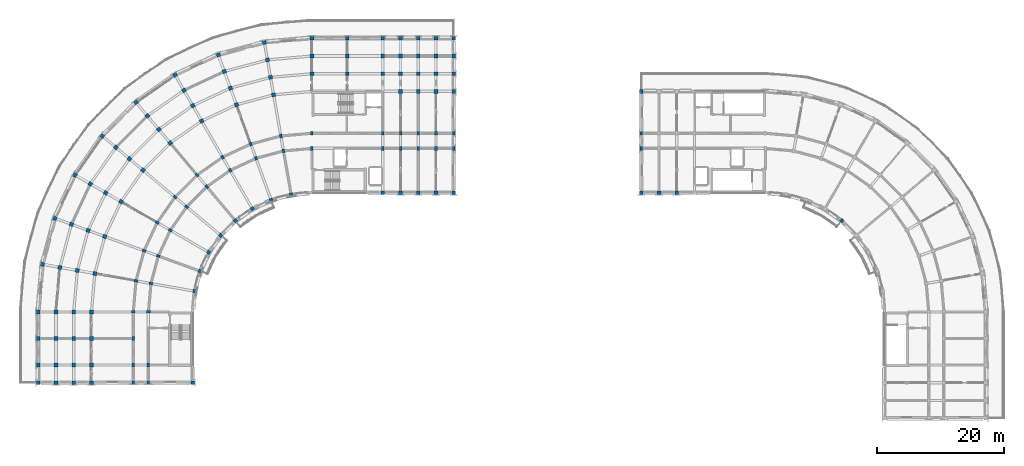
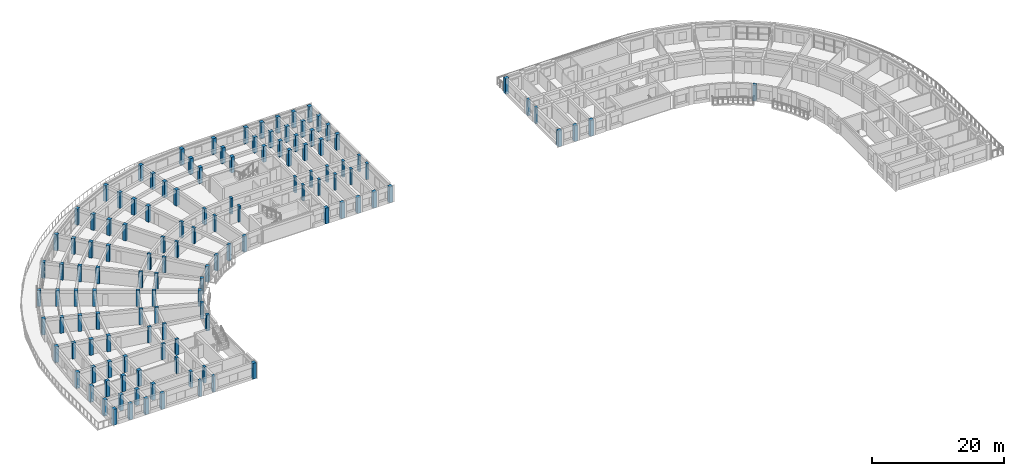
# One storey, part 1 of 32: 129 columns.
"""IFC4 building model written with IfcOpenShell, lengths in metres."""

from ifc_helpers import new_model, si_unit, direction, frame, origin, origin_2d, place, context, subcontext, project, spatial, rectangle, extrude, material, material_profile, profile_set, type_object, element, save


model = new_model("IFC4")

# Units and contexts
model_context = context("Model", 3, precision=1e-05, world=origin(), true_north=direction((0.0, 1.0)))
body_context = subcontext(model_context, "Body", "Model", "MODEL_VIEW")
ifc_project = project(units=[si_unit("LENGTHUNIT", "METRE"), si_unit("AREAUNIT", "SQUARE_METRE"), si_unit("VOLUMEUNIT", "CUBIC_METRE"), si_unit("PLANEANGLEUNIT", "RADIAN"), si_unit("MASSUNIT", "GRAM", prefix="KILO")], contexts=[model_context])

# Site, building, storey
site_placement = place(None, origin())
site = spatial("IfcSite", under=ifc_project, at=site_placement, CompositionType="ELEMENT")
building_placement = place(site_placement, origin())
building = spatial("IfcBuilding", under=site, at=building_placement, Name="Kiranvali Square Residences", CompositionType="ELEMENT")
storey_placement = place(building_placement, frame((0.0, 0.0, 40.199951171875)))
storey = spatial("IfcBuildingStorey", under=building, at=storey_placement, Name="L12", CompositionType="ELEMENT", Elevation=40.199951171875)

# Columns
ifc_material = material(Name="Concrete M40 (40 MPa)", Category="concrete")
ifc_material_profile_1 = material_profile(ifc_material, rectangle(XDim=0.550048828125, YDim=0.550048828125, at=origin_2d()), Name="RC 550x550")
ifc_profile_set_1 = profile_set([ifc_material_profile_1], Name="Concrete M40 (40 MPa)")
column_type_1 = type_object("IfcColumnType", Name="COL-M40-550", PredefinedType="COLUMN", material=ifc_profile_set_1)
for number, where, z_axis, x_axis, name in (
    (1, (44.935302734375, 106.314453125, 0.0), (0.0, 0.0, 1.0), (0.984807753012, 0.173648177667, 0.0), "Block A L12 radial column A01-R0"),
    (2, (41.77001953125, 105.46630859375, 0.0), (0.0, 0.0, 1.0), (0.939692620786, 0.342020143326, 0.0), "Block A L12 radial column A02-R0"),
    (3, (38.800048828125, 104.081298828125, 0.0), (0.0, 0.0, 1.0), (0.866025403784, 0.5, 0.0), "Block A L12 radial column A03-R0"),
    (4, (36.115478515625, 102.20166015625, 0.0), (0.0, 0.0, 1.0), (0.766044443119, 0.642787609687, 0.0), "Block A L12 radial column A04-R0"),
    (5, (33.79833984375, 99.884521484375, 0.0), (0.0, 0.0, 1.0), (0.642787609687, 0.766044443119, 0.0), "Block A L12 radial column A05-R0"),
    (6, (31.918701171875, 97.199951171875, 0.0), (0.0, 0.0, 1.0), (0.5, 0.866025403784, 0.0), "Block A L12 radial column A06-R0"),
    (7, (30.53369140625, 94.22998046875, 0.0), (0.0, 0.0, 1.0), (0.342020143326, 0.939692620786, 0.0), "Block A L12 radial column A07-R0"),
    (8, (29.685546875, 91.064697265625, 0.0), (0.0, 0.0, 1.0), (0.173648177667, 0.984807753012, 0.0), "Block A L12 radial column A08-R0"),
):
    element("IfcColumn", number, at=place(storey_placement, frame(where, z_axis=z_axis, x_axis=x_axis)), inside=storey, type_object=column_type_1, Name=name, PredefinedType="COLUMN", context=body_context, shape_type="SweptSolid", body=[
        extrude(rectangle(XDim=0.550048828125, YDim=0.550048828125, at=origin_2d()), origin(), (0.0, 0.0, 1.0), 2.929931640625),
    ])
column_1_placement = place(storey_placement, frame((131.884521484375, 102.20166015625, 0.0), z_axis=(0.0, 0.0, 1.0), x_axis=(-0.766044443119, 0.642787609687, 0.0)))
element("IfcColumn", 9, at=column_1_placement, inside=storey, type_object=column_type_1, Name="Block B L12 radial column A04-R0", PredefinedType="COLUMN", context=body_context, shape_type="SweptSolid", body=[
    extrude(rectangle(XDim=0.550048828125, YDim=0.550048828125, at=origin_2d()), origin(), (0.0, 0.0, 1.0), 2.91015625),
])
ifc_material_profile_2 = material_profile(ifc_material, rectangle(XDim=0.60009765625, YDim=0.60009765625, at=origin_2d()), Name="RC 600x600")
ifc_profile_set_2 = profile_set([ifc_material_profile_2], Name="Concrete M40 (40 MPa)")
column_type_2 = type_object("IfcColumnType", Name="COL-M40-600", PredefinedType="COLUMN", material=ifc_profile_set_2)
for number, where, z_axis, x_axis, name in (
    (10, (48.199951171875, 125.39990234375, 0.0), (0.0, 0.0, 1.0), (1.0, 0.0, 0.0), "Block A L12 radial column A00-R4"),
    (11, (48.199951171875, 128.199951171875, 0.0), (0.0, 0.0, 1.0), (1.0, 0.0, 0.0), "Block A L12 radial column A00-R5"),
):
    element("IfcColumn", number, at=place(storey_placement, frame(where, z_axis=z_axis, x_axis=x_axis)), inside=storey, type_object=column_type_2, Name=name, PredefinedType="COLUMN", context=body_context, shape_type="SweptSolid", body=[
        extrude(rectangle(XDim=0.60009765625, YDim=0.60009765625, at=origin_2d()), origin(), (0.0, 0.0, 1.0), 2.929931640625),
    ])
column_2_placement = place(storey_placement, frame((48.199951171875, 131.0, 0.0), z_axis=(0.0, 0.0, 1.0), x_axis=(1.0, 0.0, 0.0)))
element("IfcColumn", 12, at=column_2_placement, inside=storey, type_object=column_type_2, Name="Block A L12 radial column A00-R6", PredefinedType="COLUMN", context=body_context, shape_type="SweptSolid", body=[
    extrude(rectangle(XDim=0.60009765625, YDim=0.60009765625, at=origin_2d()), origin(), (0.0, 0.0, 1.0), 2.969970703125),
])
for number, where, z_axis, x_axis, name in (
    (13, (42.156982421875, 122.0712890625, 0.0), (0.0, 0.0, 1.0), (0.984807753012, 0.173648177667, 0.0), "Block A L12 radial column A01-R3"),
    (14, (41.6708984375, 124.828857421875, 0.0), (0.0, 0.0, 1.0), (0.984807753012, 0.173648177667, 0.0), "Block A L12 radial column A01-R4"),
    (15, (41.1845703125, 127.586181640625, 0.0), (0.0, 0.0, 1.0), (0.984807753012, 0.173648177667, 0.0), "Block A L12 radial column A01-R5"),
):
    element("IfcColumn", number, at=place(storey_placement, frame(where, z_axis=z_axis, x_axis=x_axis)), inside=storey, type_object=column_type_2, Name=name, PredefinedType="COLUMN", context=body_context, shape_type="SweptSolid", body=[
        extrude(rectangle(XDim=0.60009765625, YDim=0.60009765625, at=origin_2d()), origin(), (0.0, 0.0, 1.0), 2.929931640625),
    ])
column_3_placement = place(storey_placement, frame((40.698486328125, 130.34375, 0.0), z_axis=(0.0, 0.0, 1.0), x_axis=(0.984807753012, 0.173648177667, 0.0)))
element("IfcColumn", 16, at=column_3_placement, inside=storey, type_object=column_type_2, Name="Block A L12 radial column A01-R6", PredefinedType="COLUMN", context=body_context, shape_type="SweptSolid", body=[
    extrude(rectangle(XDim=0.60009765625, YDim=0.60009765625, at=origin_2d()), origin(), (0.0, 0.0, 1.0), 2.969970703125),
])
for number, where, z_axis, x_axis, name in (
    (17, (36.297607421875, 120.501220703125, 0.0), (0.0, 0.0, 1.0), (0.939692620786, 0.342020143326, 0.0), "Block A L12 radial column A02-R3"),
    (18, (35.340087890625, 123.13232421875, 0.0), (0.0, 0.0, 1.0), (0.939692620786, 0.342020143326, 0.0), "Block A L12 radial column A02-R4"),
    (19, (34.38232421875, 125.763671875, 0.0), (0.0, 0.0, 1.0), (0.939692620786, 0.342020143326, 0.0), "Block A L12 radial column A02-R5"),
):
    element("IfcColumn", number, at=place(storey_placement, frame(where, z_axis=z_axis, x_axis=x_axis)), inside=storey, type_object=column_type_2, Name=name, PredefinedType="COLUMN", context=body_context, shape_type="SweptSolid", body=[
        extrude(rectangle(XDim=0.60009765625, YDim=0.60009765625, at=origin_2d()), origin(), (0.0, 0.0, 1.0), 2.929931640625),
    ])
column_4_placement = place(storey_placement, frame((33.4248046875, 128.394775390625, 0.0), z_axis=(0.0, 0.0, 1.0), x_axis=(0.939692620786, 0.342020143326, 0.0)))
element("IfcColumn", 20, at=column_4_placement, inside=storey, type_object=column_type_2, Name="Block A L12 radial column A02-R6", PredefinedType="COLUMN", context=body_context, shape_type="SweptSolid", body=[
    extrude(rectangle(XDim=0.60009765625, YDim=0.60009765625, at=origin_2d()), origin(), (0.0, 0.0, 1.0), 2.969970703125),
])
for number, where, z_axis, x_axis, name in (
    (21, (30.800048828125, 117.937744140625, 0.0), (0.0, 0.0, 1.0), (0.866025403784, 0.5, 0.0), "Block A L12 radial column A03-R3"),
    (22, (29.39990234375, 120.362548828125, 0.0), (0.0, 0.0, 1.0), (0.866025403784, 0.5, 0.0), "Block A L12 radial column A03-R4"),
    (23, (28.0, 122.787353515625, 0.0), (0.0, 0.0, 1.0), (0.866025403784, 0.5, 0.0), "Block A L12 radial column A03-R5"),
):
    element("IfcColumn", number, at=place(storey_placement, frame(where, z_axis=z_axis, x_axis=x_axis)), inside=storey, type_object=column_type_2, Name=name, PredefinedType="COLUMN", context=body_context, shape_type="SweptSolid", body=[
        extrude(rectangle(XDim=0.60009765625, YDim=0.60009765625, at=origin_2d()), origin(), (0.0, 0.0, 1.0), 2.929931640625),
    ])
column_5_placement = place(storey_placement, frame((26.60009765625, 125.21240234375, 0.0), z_axis=(0.0, 0.0, 1.0), x_axis=(0.866025403784, 0.5, 0.0)))
element("IfcColumn", 24, at=column_5_placement, inside=storey, type_object=column_type_2, Name="Block A L12 radial column A03-R6", PredefinedType="COLUMN", context=body_context, shape_type="SweptSolid", body=[
    extrude(rectangle(XDim=0.60009765625, YDim=0.60009765625, at=origin_2d()), origin(), (0.0, 0.0, 1.0), 2.969970703125),
])
for number, where, z_axis, x_axis, name in (
    (25, (25.8310546875, 114.458251953125, 0.0), (0.0, 0.0, 1.0), (0.766044443119, 0.642787609687, 0.0), "Block A L12 radial column A04-R3"),
    (26, (24.03125, 116.603271484375, 0.0), (0.0, 0.0, 1.0), (0.766044443119, 0.642787609687, 0.0), "Block A L12 radial column A04-R4"),
    (27, (22.2314453125, 118.748291015625, 0.0), (0.0, 0.0, 1.0), (0.766044443119, 0.642787609687, 0.0), "Block A L12 radial column A04-R5"),
):
    element("IfcColumn", number, at=place(storey_placement, frame(where, z_axis=z_axis, x_axis=x_axis)), inside=storey, type_object=column_type_2, Name=name, PredefinedType="COLUMN", context=body_context, shape_type="SweptSolid", body=[
        extrude(rectangle(XDim=0.60009765625, YDim=0.60009765625, at=origin_2d()), origin(), (0.0, 0.0, 1.0), 2.929931640625),
    ])
column_6_placement = place(storey_placement, frame((20.431640625, 120.89306640625, 0.0), z_axis=(0.0, 0.0, 1.0), x_axis=(0.766044443119, 0.642787609687, 0.0)))
element("IfcColumn", 28, at=column_6_placement, inside=storey, type_object=column_type_2, Name="Block A L12 radial column A04-R6", PredefinedType="COLUMN", context=body_context, shape_type="SweptSolid", body=[
    extrude(rectangle(XDim=0.60009765625, YDim=0.60009765625, at=origin_2d()), origin(), (0.0, 0.0, 1.0), 2.969970703125),
])
for number, where, z_axis, x_axis, name in (
    (29, (21.541748046875, 110.1689453125, 0.0), (0.0, 0.0, 1.0), (0.642787609687, 0.766044443119, 0.0), "Block A L12 radial column A05-R3"),
    (30, (19.396728515625, 111.96875, 0.0), (0.0, 0.0, 1.0), (0.642787609687, 0.766044443119, 0.0), "Block A L12 radial column A05-R4"),
    (31, (17.251708984375, 113.7685546875, 0.0), (0.0, 0.0, 1.0), (0.642787609687, 0.766044443119, 0.0), "Block A L12 radial column A05-R5"),
):
    element("IfcColumn", number, at=place(storey_placement, frame(where, z_axis=z_axis, x_axis=x_axis)), inside=storey, type_object=column_type_2, Name=name, PredefinedType="COLUMN", context=body_context, shape_type="SweptSolid", body=[
        extrude(rectangle(XDim=0.60009765625, YDim=0.60009765625, at=origin_2d()), origin(), (0.0, 0.0, 1.0), 2.929931640625),
    ])
column_7_placement = place(storey_placement, frame((15.10693359375, 115.568359375, 0.0), z_axis=(0.0, 0.0, 1.0), x_axis=(0.642787609687, 0.766044443119, 0.0)))
element("IfcColumn", 32, at=column_7_placement, inside=storey, type_object=column_type_2, Name="Block A L12 radial column A05-R6", PredefinedType="COLUMN", context=body_context, shape_type="SweptSolid", body=[
    extrude(rectangle(XDim=0.60009765625, YDim=0.60009765625, at=origin_2d()), origin(), (0.0, 0.0, 1.0), 2.969970703125),
])
for number, where, z_axis, x_axis, name in (
    (33, (18.062255859375, 105.199951171875, 0.0), (0.0, 0.0, 1.0), (0.5, 0.866025403784, 0.0), "Block A L12 radial column A06-R3"),
    (34, (15.637451171875, 106.60009765625, 0.0), (0.0, 0.0, 1.0), (0.5, 0.866025403784, 0.0), "Block A L12 radial column A06-R4"),
    (35, (13.212646484375, 108.0, 0.0), (0.0, 0.0, 1.0), (0.5, 0.866025403784, 0.0), "Block A L12 radial column A06-R5"),
):
    element("IfcColumn", number, at=place(storey_placement, frame(where, z_axis=z_axis, x_axis=x_axis)), inside=storey, type_object=column_type_2, Name=name, PredefinedType="COLUMN", context=body_context, shape_type="SweptSolid", body=[
        extrude(rectangle(XDim=0.60009765625, YDim=0.60009765625, at=origin_2d()), origin(), (0.0, 0.0, 1.0), 2.929931640625),
    ])
column_8_placement = place(storey_placement, frame((10.78759765625, 109.39990234375, 0.0), z_axis=(0.0, 0.0, 1.0), x_axis=(0.5, 0.866025403784, 0.0)))
element("IfcColumn", 36, at=column_8_placement, inside=storey, type_object=column_type_2, Name="Block A L12 radial column A06-R6", PredefinedType="COLUMN", context=body_context, shape_type="SweptSolid", body=[
    extrude(rectangle(XDim=0.60009765625, YDim=0.60009765625, at=origin_2d()), origin(), (0.0, 0.0, 1.0), 2.969970703125),
])
for number, where, z_axis, x_axis, name in (
    (37, (15.498779296875, 99.702392578125, 0.0), (0.0, 0.0, 1.0), (0.342020143326, 0.939692620786, 0.0), "Block A L12 radial column A07-R3"),
    (38, (12.86767578125, 100.659912109375, 0.0), (0.0, 0.0, 1.0), (0.342020143326, 0.939692620786, 0.0), "Block A L12 radial column A07-R4"),
    (39, (10.236328125, 101.61767578125, 0.0), (0.0, 0.0, 1.0), (0.342020143326, 0.939692620786, 0.0), "Block A L12 radial column A07-R5"),
):
    element("IfcColumn", number, at=place(storey_placement, frame(where, z_axis=z_axis, x_axis=x_axis)), inside=storey, type_object=column_type_2, Name=name, PredefinedType="COLUMN", context=body_context, shape_type="SweptSolid", body=[
        extrude(rectangle(XDim=0.60009765625, YDim=0.60009765625, at=origin_2d()), origin(), (0.0, 0.0, 1.0), 2.929931640625),
    ])
column_9_placement = place(storey_placement, frame((7.605224609375, 102.5751953125, 0.0), z_axis=(0.0, 0.0, 1.0), x_axis=(0.342020143326, 0.939692620786, 0.0)))
element("IfcColumn", 40, at=column_9_placement, inside=storey, type_object=column_type_2, Name="Block A L12 radial column A07-R6", PredefinedType="COLUMN", context=body_context, shape_type="SweptSolid", body=[
    extrude(rectangle(XDim=0.60009765625, YDim=0.60009765625, at=origin_2d()), origin(), (0.0, 0.0, 1.0), 2.969970703125),
])
for number, where, z_axis, x_axis, name in (
    (41, (13.9287109375, 93.843017578125, 0.0), (0.0, 0.0, 1.0), (0.173648177667, 0.984807753012, 0.0), "Block A L12 radial column A08-R3"),
    (42, (11.171142578125, 94.3291015625, 0.0), (0.0, 0.0, 1.0), (0.173648177667, 0.984807753012, 0.0), "Block A L12 radial column A08-R4"),
    (43, (8.413818359375, 94.8154296875, 0.0), (0.0, 0.0, 1.0), (0.173648177667, 0.984807753012, 0.0), "Block A L12 radial column A08-R5"),
):
    element("IfcColumn", number, at=place(storey_placement, frame(where, z_axis=z_axis, x_axis=x_axis)), inside=storey, type_object=column_type_2, Name=name, PredefinedType="COLUMN", context=body_context, shape_type="SweptSolid", body=[
        extrude(rectangle(XDim=0.60009765625, YDim=0.60009765625, at=origin_2d()), origin(), (0.0, 0.0, 1.0), 2.929931640625),
    ])
column_10_placement = place(storey_placement, frame((5.65625, 95.301513671875, 0.0), z_axis=(0.0, 0.0, 1.0), x_axis=(0.173648177667, 0.984807753012, 0.0)))
element("IfcColumn", 44, at=column_10_placement, inside=storey, type_object=column_type_2, Name="Block A L12 radial column A08-R6", PredefinedType="COLUMN", context=body_context, shape_type="SweptSolid", body=[
    extrude(rectangle(XDim=0.60009765625, YDim=0.60009765625, at=origin_2d()), origin(), (0.0, 0.0, 1.0), 2.969970703125),
])
for number, where, z_axis, x_axis, name in (
    (45, (13.39990234375, 87.800048828125, 0.0), (0.0, 0.0, 1.0), (0.0, 1.0, 0.0), "Block A L12 radial column A09-R3"),
    (46, (10.60009765625, 87.800048828125, 0.0), (0.0, 0.0, 1.0), (0.0, 1.0, 0.0), "Block A L12 radial column A09-R4"),
    (47, (7.800048828125, 87.800048828125, 0.0), (0.0, 0.0, 1.0), (0.0, 1.0, 0.0), "Block A L12 radial column A09-R5"),
):
    element("IfcColumn", number, at=place(storey_placement, frame(where, z_axis=z_axis, x_axis=x_axis)), inside=storey, type_object=column_type_2, Name=name, PredefinedType="COLUMN", context=body_context, shape_type="SweptSolid", body=[
        extrude(rectangle(XDim=0.60009765625, YDim=0.60009765625, at=origin_2d()), origin(), (0.0, 0.0, 1.0), 2.929931640625),
    ])
column_11_placement = place(storey_placement, frame((5.0, 87.800048828125, 0.0), z_axis=(0.0, 0.0, 1.0), x_axis=(0.0, 1.0, 0.0)))
element("IfcColumn", 48, at=column_11_placement, inside=storey, type_object=column_type_2, Name="Block A L12 radial column A09-R6", PredefinedType="COLUMN", context=body_context, shape_type="SweptSolid", body=[
    extrude(rectangle(XDim=0.60009765625, YDim=0.60009765625, at=origin_2d()), origin(), (0.0, 0.0, 1.0), 2.969970703125),
])
for number, where, z_axis, x_axis, name in (
    (49, (53.800048828125, 125.39990234375, 0.0), (0.0, 0.0, 1.0), (1.0, 0.0, 0.0), "Block A L12 core-front column U0-R4"),
    (50, (53.800048828125, 128.199951171875, 0.0), (0.0, 0.0, 1.0), (1.0, 0.0, 0.0), "Block A L12 core-front column U0-R5"),
):
    element("IfcColumn", number, at=place(storey_placement, frame(where, z_axis=z_axis, x_axis=x_axis)), inside=storey, type_object=column_type_2, Name=name, PredefinedType="COLUMN", context=body_context, shape_type="SweptSolid", body=[
        extrude(rectangle(XDim=0.60009765625, YDim=0.60009765625, at=origin_2d()), origin(), (0.0, 0.0, 1.0), 2.929931640625),
    ])
column_12_placement = place(storey_placement, frame((53.800048828125, 131.0, 0.0), z_axis=(0.0, 0.0, 1.0), x_axis=(1.0, 0.0, 0.0)))
element("IfcColumn", 51, at=column_12_placement, inside=storey, type_object=column_type_2, Name="Block A L12 core-front column U0-R6", PredefinedType="COLUMN", context=body_context, shape_type="SweptSolid", body=[
    extrude(rectangle(XDim=0.60009765625, YDim=0.60009765625, at=origin_2d()), origin(), (0.0, 0.0, 1.0), 2.969970703125),
])
for number, where, z_axis, x_axis, name in (
    (52, (59.39990234375, 106.60009765625, 0.0), (0.0, 0.0, 1.0), (1.0, 0.0, 0.0), "Block A L12 Arm 1 column U1-R0"),
    (53, (59.39990234375, 125.39990234375, 0.0), (0.0, 0.0, 1.0), (1.0, 0.0, 0.0), "Block A L12 Arm 1 column U1-R4"),
    (54, (59.39990234375, 128.199951171875, 0.0), (0.0, 0.0, 1.0), (1.0, 0.0, 0.0), "Block A L12 Arm 1 column U1-R5"),
):
    element("IfcColumn", number, at=place(storey_placement, frame(where, z_axis=z_axis, x_axis=x_axis)), inside=storey, type_object=column_type_2, Name=name, PredefinedType="COLUMN", context=body_context, shape_type="SweptSolid", body=[
        extrude(rectangle(XDim=0.60009765625, YDim=0.60009765625, at=origin_2d()), origin(), (0.0, 0.0, 1.0), 2.929931640625),
    ])
column_13_placement = place(storey_placement, frame((59.39990234375, 131.0, 0.0), z_axis=(0.0, 0.0, 1.0), x_axis=(1.0, 0.0, 0.0)))
element("IfcColumn", 55, at=column_13_placement, inside=storey, type_object=column_type_2, Name="Block A L12 Arm 1 column U1-R6", PredefinedType="COLUMN", context=body_context, shape_type="SweptSolid", body=[
    extrude(rectangle(XDim=0.60009765625, YDim=0.60009765625, at=origin_2d()), origin(), (0.0, 0.0, 1.0), 2.969970703125),
])
for number, where, z_axis, x_axis, name in (
    (56, (62.199951171875, 106.60009765625, 0.0), (0.0, 0.0, 1.0), (1.0, 0.0, 0.0), "Block A L12 Arm 1 column U2-R0"),
    (57, (62.199951171875, 122.60009765625, 0.0), (0.0, 0.0, 1.0), (1.0, 0.0, 0.0), "Block A L12 Arm 1 column U2-R3"),
    (58, (62.199951171875, 125.39990234375, 0.0), (0.0, 0.0, 1.0), (1.0, 0.0, 0.0), "Block A L12 Arm 1 column U2-R4"),
    (59, (62.199951171875, 128.199951171875, 0.0), (0.0, 0.0, 1.0), (1.0, 0.0, 0.0), "Block A L12 Arm 1 column U2-R5"),
):
    element("IfcColumn", number, at=place(storey_placement, frame(where, z_axis=z_axis, x_axis=x_axis)), inside=storey, type_object=column_type_2, Name=name, PredefinedType="COLUMN", context=body_context, shape_type="SweptSolid", body=[
        extrude(rectangle(XDim=0.60009765625, YDim=0.60009765625, at=origin_2d()), origin(), (0.0, 0.0, 1.0), 2.929931640625),
    ])
column_14_placement = place(storey_placement, frame((62.199951171875, 131.0, 0.0), z_axis=(0.0, 0.0, 1.0), x_axis=(1.0, 0.0, 0.0)))
element("IfcColumn", 60, at=column_14_placement, inside=storey, type_object=column_type_2, Name="Block A L12 Arm 1 column U2-R6", PredefinedType="COLUMN", context=body_context, shape_type="SweptSolid", body=[
    extrude(rectangle(XDim=0.60009765625, YDim=0.60009765625, at=origin_2d()), origin(), (0.0, 0.0, 1.0), 2.969970703125),
])
for number, where, z_axis, x_axis, name in (
    (61, (65.0, 106.60009765625, 0.0), (0.0, 0.0, 1.0), (1.0, 0.0, 0.0), "Block A L12 Arm 1 column U3-R0"),
    (62, (65.0, 122.60009765625, 0.0), (0.0, 0.0, 1.0), (1.0, 0.0, 0.0), "Block A L12 Arm 1 column U3-R3"),
    (63, (65.0, 125.39990234375, 0.0), (0.0, 0.0, 1.0), (1.0, 0.0, 0.0), "Block A L12 Arm 1 column U3-R4"),
    (64, (65.0, 128.199951171875, 0.0), (0.0, 0.0, 1.0), (1.0, 0.0, 0.0), "Block A L12 Arm 1 column U3-R5"),
):
    element("IfcColumn", number, at=place(storey_placement, frame(where, z_axis=z_axis, x_axis=x_axis)), inside=storey, type_object=column_type_2, Name=name, PredefinedType="COLUMN", context=body_context, shape_type="SweptSolid", body=[
        extrude(rectangle(XDim=0.60009765625, YDim=0.60009765625, at=origin_2d()), origin(), (0.0, 0.0, 1.0), 2.929931640625),
    ])
column_15_placement = place(storey_placement, frame((65.0, 131.0, 0.0), z_axis=(0.0, 0.0, 1.0), x_axis=(1.0, 0.0, 0.0)))
element("IfcColumn", 65, at=column_15_placement, inside=storey, type_object=column_type_2, Name="Block A L12 Arm 1 column U3-R6", PredefinedType="COLUMN", context=body_context, shape_type="SweptSolid", body=[
    extrude(rectangle(XDim=0.60009765625, YDim=0.60009765625, at=origin_2d()), origin(), (0.0, 0.0, 1.0), 2.969970703125),
])
for number, where, z_axis, x_axis, name in (
    (66, (67.800048828125, 106.60009765625, 0.0), (0.0, 0.0, 1.0), (1.0, 0.0, 0.0), "Block A L12 Arm 1 column U4-R0"),
    (67, (67.800048828125, 122.60009765625, 0.0), (0.0, 0.0, 1.0), (1.0, 0.0, 0.0), "Block A L12 Arm 1 column U4-R3"),
    (68, (67.800048828125, 125.39990234375, 0.0), (0.0, 0.0, 1.0), (1.0, 0.0, 0.0), "Block A L12 Arm 1 column U4-R4"),
    (69, (67.800048828125, 128.199951171875, 0.0), (0.0, 0.0, 1.0), (1.0, 0.0, 0.0), "Block A L12 Arm 1 column U4-R5"),
):
    element("IfcColumn", number, at=place(storey_placement, frame(where, z_axis=z_axis, x_axis=x_axis)), inside=storey, type_object=column_type_2, Name=name, PredefinedType="COLUMN", context=body_context, shape_type="SweptSolid", body=[
        extrude(rectangle(XDim=0.60009765625, YDim=0.60009765625, at=origin_2d()), origin(), (0.0, 0.0, 1.0), 2.929931640625),
    ])
column_16_placement = place(storey_placement, frame((67.800048828125, 131.0, 0.0), z_axis=(0.0, 0.0, 1.0), x_axis=(1.0, 0.0, 0.0)))
element("IfcColumn", 70, at=column_16_placement, inside=storey, type_object=column_type_2, Name="Block A L12 Arm 1 column U4-R6", PredefinedType="COLUMN", context=body_context, shape_type="SweptSolid", body=[
    extrude(rectangle(XDim=0.60009765625, YDim=0.60009765625, at=origin_2d()), origin(), (0.0, 0.0, 1.0), 2.969970703125),
])
for number, where, z_axis, x_axis, name in (
    (71, (70.60009765625, 106.60009765625, 0.0), (0.0, 0.0, 1.0), (1.0, 0.0, 0.0), "Block A L12 Arm 1 column U5-R0"),
    (72, (70.60009765625, 122.60009765625, 0.0), (0.0, 0.0, 1.0), (1.0, 0.0, 0.0), "Block A L12 Arm 1 column U5-R3"),
    (73, (70.60009765625, 125.39990234375, 0.0), (0.0, 0.0, 1.0), (1.0, 0.0, 0.0), "Block A L12 Arm 1 column U5-R4"),
    (74, (70.60009765625, 128.199951171875, 0.0), (0.0, 0.0, 1.0), (1.0, 0.0, 0.0), "Block A L12 Arm 1 column U5-R5"),
):
    element("IfcColumn", number, at=place(storey_placement, frame(where, z_axis=z_axis, x_axis=x_axis)), inside=storey, type_object=column_type_2, Name=name, PredefinedType="COLUMN", context=body_context, shape_type="SweptSolid", body=[
        extrude(rectangle(XDim=0.60009765625, YDim=0.60009765625, at=origin_2d()), origin(), (0.0, 0.0, 1.0), 2.929931640625),
    ])
column_17_placement = place(storey_placement, frame((70.60009765625, 131.0, 0.0), z_axis=(0.0, 0.0, 1.0), x_axis=(1.0, 0.0, 0.0)))
element("IfcColumn", 75, at=column_17_placement, inside=storey, type_object=column_type_2, Name="Block A L12 Arm 1 column U5-R6", PredefinedType="COLUMN", context=body_context, shape_type="SweptSolid", body=[
    extrude(rectangle(XDim=0.60009765625, YDim=0.60009765625, at=origin_2d()), origin(), (0.0, 0.0, 1.0), 2.969970703125),
])
for number, where, z_axis, x_axis, name in (
    (76, (13.39990234375, 83.60009765625, 0.0), (0.0, 0.0, 1.0), (1.0, 0.0, 0.0), "Block A L12 Arm 2 mid-core column V0-R3"),
    (77, (10.60009765625, 83.60009765625, 0.0), (0.0, 0.0, 1.0), (1.0, 0.0, 0.0), "Block A L12 Arm 2 mid-core column V0-R4"),
    (78, (7.800048828125, 83.60009765625, 0.0), (0.0, 0.0, 1.0), (1.0, 0.0, 0.0), "Block A L12 Arm 2 mid-core column V0-R5"),
):
    element("IfcColumn", number, at=place(storey_placement, frame(where, z_axis=z_axis, x_axis=x_axis)), inside=storey, type_object=column_type_2, Name=name, PredefinedType="COLUMN", context=body_context, shape_type="SweptSolid", body=[
        extrude(rectangle(XDim=0.60009765625, YDim=0.60009765625, at=origin_2d()), origin(), (0.0, 0.0, 1.0), 2.929931640625),
    ])
column_18_placement = place(storey_placement, frame((5.0, 83.60009765625, 0.0), z_axis=(0.0, 0.0, 1.0), x_axis=(1.0, 0.0, 0.0)))
element("IfcColumn", 79, at=column_18_placement, inside=storey, type_object=column_type_2, Name="Block A L12 Arm 2 mid-core column V0-R6", PredefinedType="COLUMN", context=body_context, shape_type="SweptSolid", body=[
    extrude(rectangle(XDim=0.60009765625, YDim=0.60009765625, at=origin_2d()), origin(), (0.0, 0.0, 1.0), 2.969970703125),
])
for number, where, z_axis, x_axis, name in (
    (80, (13.39990234375, 79.39990234375, 0.0), (0.0, 0.0, 1.0), (1.0, 0.0, 0.0), "Block A L12 Arm 2 column V1-R3"),
    (81, (10.60009765625, 79.39990234375, 0.0), (0.0, 0.0, 1.0), (1.0, 0.0, 0.0), "Block A L12 Arm 2 column V1-R4"),
    (82, (7.800048828125, 79.39990234375, 0.0), (0.0, 0.0, 1.0), (1.0, 0.0, 0.0), "Block A L12 Arm 2 column V1-R5"),
):
    element("IfcColumn", number, at=place(storey_placement, frame(where, z_axis=z_axis, x_axis=x_axis)), inside=storey, type_object=column_type_2, Name=name, PredefinedType="COLUMN", context=body_context, shape_type="SweptSolid", body=[
        extrude(rectangle(XDim=0.60009765625, YDim=0.60009765625, at=origin_2d()), origin(), (0.0, 0.0, 1.0), 2.929931640625),
    ])
column_19_placement = place(storey_placement, frame((5.0, 79.39990234375, 0.0), z_axis=(0.0, 0.0, 1.0), x_axis=(1.0, 0.0, 0.0)))
element("IfcColumn", 83, at=column_19_placement, inside=storey, type_object=column_type_2, Name="Block A L12 Arm 2 column V1-R6", PredefinedType="COLUMN", context=body_context, shape_type="SweptSolid", body=[
    extrude(rectangle(XDim=0.60009765625, YDim=0.60009765625, at=origin_2d()), origin(), (0.0, 0.0, 1.0), 2.969970703125),
])
for number, where, z_axis, x_axis, name in (
    (84, (29.39990234375, 76.60009765625, 0.0), (0.0, 0.0, 1.0), (1.0, 0.0, 0.0), "Block A L12 Arm 2 column V2-R0"),
    (85, (13.39990234375, 76.60009765625, 0.0), (0.0, 0.0, 1.0), (1.0, 0.0, 0.0), "Block A L12 Arm 2 column V2-R3"),
    (86, (10.60009765625, 76.60009765625, 0.0), (0.0, 0.0, 1.0), (1.0, 0.0, 0.0), "Block A L12 Arm 2 column V2-R4"),
    (87, (7.800048828125, 76.60009765625, 0.0), (0.0, 0.0, 1.0), (1.0, 0.0, 0.0), "Block A L12 Arm 2 column V2-R5"),
):
    element("IfcColumn", number, at=place(storey_placement, frame(where, z_axis=z_axis, x_axis=x_axis)), inside=storey, type_object=column_type_2, Name=name, PredefinedType="COLUMN", context=body_context, shape_type="SweptSolid", body=[
        extrude(rectangle(XDim=0.60009765625, YDim=0.60009765625, at=origin_2d()), origin(), (0.0, 0.0, 1.0), 2.929931640625),
    ])
column_20_placement = place(storey_placement, frame((5.0, 76.60009765625, 0.0), z_axis=(0.0, 0.0, 1.0), x_axis=(1.0, 0.0, 0.0)))
element("IfcColumn", 88, at=column_20_placement, inside=storey, type_object=column_type_2, Name="Block A L12 Arm 2 column V2-R6", PredefinedType="COLUMN", context=body_context, shape_type="SweptSolid", body=[
    extrude(rectangle(XDim=0.60009765625, YDim=0.60009765625, at=origin_2d()), origin(), (0.0, 0.0, 1.0), 2.969970703125),
])
for number, where, z_axis, x_axis, name in (
    (89, (105.800048828125, 106.60009765625, 0.0), (0.0, 0.0, 1.0), (1.0, 0.0, 0.0), "Block B L12 Arm 1 column U2-R0"),
    (90, (103.0, 106.60009765625, 0.0), (0.0, 0.0, 1.0), (1.0, 0.0, 0.0), "Block B L12 Arm 1 column U3-R0"),
    (91, (100.199951171875, 106.60009765625, 0.0), (0.0, 0.0, 1.0), (1.0, 0.0, 0.0), "Block B L12 Arm 1 column U4-R0"),
    (92, (100.199951171875, 122.60009765625, 0.0), (0.0, 0.0, 1.0), (1.0, 0.0, 0.0), "Block B L12 Arm 1 column U4-R3"),
):
    element("IfcColumn", number, at=place(storey_placement, frame(where, z_axis=z_axis, x_axis=x_axis)), inside=storey, type_object=column_type_2, Name=name, PredefinedType="COLUMN", context=body_context, shape_type="SweptSolid", body=[
        extrude(rectangle(XDim=0.60009765625, YDim=0.60009765625, at=origin_2d()), origin(), (0.0, 0.0, 1.0), 2.91015625),
    ])
ifc_material_profile_3 = material_profile(ifc_material, rectangle(XDim=0.39990234375, YDim=0.60009765625, at=origin_2d()), Name="RC 600x400")
ifc_profile_set_3 = profile_set([ifc_material_profile_3], Name="Concrete M40 (40 MPa)")
column_type_3 = type_object("IfcColumnType", Name="COL-M40-600x400", PredefinedType="COLUMN", material=ifc_profile_set_3)
for number, where, z_axis, x_axis, name in (
    (93, (48.199951171875, 113.60009765625, 0.0), (0.0, 0.0, 1.0), (1.0, 0.0, 0.0), "Block A L12 radial column A00-R1"),
    (94, (48.199951171875, 116.0, 0.0), (0.0, 0.0, 1.0), (1.0, 0.0, 0.0), "Block A L12 radial column A00-R2"),
    (95, (43.719970703125, 113.2080078125, 0.0), (0.0, 0.0, 1.0), (0.984807753012, 0.173648177667, 0.0), "Block A L12 radial column A01-R1"),
    (96, (43.30322265625, 115.571533203125, 0.0), (0.0, 0.0, 1.0), (0.984807753012, 0.173648177667, 0.0), "Block A L12 radial column A01-R2"),
    (97, (39.3759765625, 112.044189453125, 0.0), (0.0, 0.0, 1.0), (0.939692620786, 0.342020143326, 0.0), "Block A L12 radial column A02-R1"),
    (98, (38.554931640625, 114.29931640625, 0.0), (0.0, 0.0, 1.0), (0.939692620786, 0.342020143326, 0.0), "Block A L12 radial column A02-R2"),
    (99, (35.300048828125, 110.1435546875, 0.0), (0.0, 0.0, 1.0), (0.866025403784, 0.5, 0.0), "Block A L12 radial column A03-R1"),
    (100, (34.10009765625, 112.221923828125, 0.0), (0.0, 0.0, 1.0), (0.866025403784, 0.5, 0.0), "Block A L12 radial column A03-R2"),
    (101, (31.615966796875, 107.56396484375, 0.0), (0.0, 0.0, 1.0), (0.766044443119, 0.642787609687, 0.0), "Block A L12 radial column A04-R1"),
    (102, (30.073486328125, 109.40234375, 0.0), (0.0, 0.0, 1.0), (0.766044443119, 0.642787609687, 0.0), "Block A L12 radial column A04-R2"),
    (103, (28.43603515625, 104.384033203125, 0.0), (0.0, 0.0, 1.0), (0.642787609687, 0.766044443119, 0.0), "Block A L12 radial column A05-R1"),
    (104, (26.59765625, 105.926513671875, 0.0), (0.0, 0.0, 1.0), (0.642787609687, 0.766044443119, 0.0), "Block A L12 radial column A05-R2"),
    (105, (25.8564453125, 100.699951171875, 0.0), (0.0, 0.0, 1.0), (0.5, 0.866025403784, 0.0), "Block A L12 radial column A06-R1"),
    (106, (23.778076171875, 101.89990234375, 0.0), (0.0, 0.0, 1.0), (0.5, 0.866025403784, 0.0), "Block A L12 radial column A06-R2"),
    (107, (23.955810546875, 96.6240234375, 0.0), (0.0, 0.0, 1.0), (0.342020143326, 0.939692620786, 0.0), "Block A L12 radial column A07-R1"),
    (108, (21.70068359375, 97.445068359375, 0.0), (0.0, 0.0, 1.0), (0.342020143326, 0.939692620786, 0.0), "Block A L12 radial column A07-R2"),
    (109, (22.7919921875, 92.280029296875, 0.0), (0.0, 0.0, 1.0), (0.173648177667, 0.984807753012, 0.0), "Block A L12 radial column A08-R1"),
    (110, (20.428466796875, 92.69677734375, 0.0), (0.0, 0.0, 1.0), (0.173648177667, 0.984807753012, 0.0), "Block A L12 radial column A08-R2"),
    (111, (22.39990234375, 87.800048828125, 0.0), (0.0, 0.0, 1.0), (0.0, 1.0, 0.0), "Block A L12 radial column A09-R1"),
    (112, (20.0, 87.800048828125, 0.0), (0.0, 0.0, 1.0), (0.0, 1.0, 0.0), "Block A L12 radial column A09-R2"),
    (113, (59.39990234375, 113.60009765625, 0.0), (0.0, 0.0, 1.0), (1.0, 0.0, 0.0), "Block A L12 Arm 1 column U1-R1"),
    (114, (59.39990234375, 116.0, 0.0), (0.0, 0.0, 1.0), (1.0, 0.0, 0.0), "Block A L12 Arm 1 column U1-R2"),
    (115, (62.199951171875, 113.60009765625, 0.0), (0.0, 0.0, 1.0), (1.0, 0.0, 0.0), "Block A L12 Arm 1 column U2-R1"),
    (116, (62.199951171875, 116.0, 0.0), (0.0, 0.0, 1.0), (1.0, 0.0, 0.0), "Block A L12 Arm 1 column U2-R2"),
    (117, (65.0, 113.60009765625, 0.0), (0.0, 0.0, 1.0), (1.0, 0.0, 0.0), "Block A L12 Arm 1 column U3-R1"),
    (118, (65.0, 116.0, 0.0), (0.0, 0.0, 1.0), (1.0, 0.0, 0.0), "Block A L12 Arm 1 column U3-R2"),
    (119, (67.800048828125, 113.60009765625, 0.0), (0.0, 0.0, 1.0), (1.0, 0.0, 0.0), "Block A L12 Arm 1 column U4-R1"),
    (120, (67.800048828125, 116.0, 0.0), (0.0, 0.0, 1.0), (1.0, 0.0, 0.0), "Block A L12 Arm 1 column U4-R2"),
    (121, (70.60009765625, 113.60009765625, 0.0), (0.0, 0.0, 1.0), (1.0, 0.0, 0.0), "Block A L12 Arm 1 column U5-R1"),
    (122, (70.60009765625, 116.0, 0.0), (0.0, 0.0, 1.0), (1.0, 0.0, 0.0), "Block A L12 Arm 1 column U5-R2"),
    (123, (20.0, 83.60009765625, 0.0), (0.0, 0.0, 1.0), (1.0, 0.0, 0.0), "Block A L12 Arm 2 mid-core column V0-R2"),
    (124, (22.39990234375, 79.39990234375, 0.0), (0.0, 0.0, 1.0), (1.0, 0.0, 0.0), "Block A L12 Arm 2 column V1-R1"),
    (125, (20.0, 79.39990234375, 0.0), (0.0, 0.0, 1.0), (1.0, 0.0, 0.0), "Block A L12 Arm 2 column V1-R2"),
    (126, (22.39990234375, 76.60009765625, 0.0), (0.0, 0.0, 1.0), (1.0, 0.0, 0.0), "Block A L12 Arm 2 column V2-R1"),
    (127, (20.0, 76.60009765625, 0.0), (0.0, 0.0, 1.0), (1.0, 0.0, 0.0), "Block A L12 Arm 2 column V2-R2"),
):
    element("IfcColumn", number, at=place(storey_placement, frame(where, z_axis=z_axis, x_axis=x_axis)), inside=storey, type_object=column_type_3, Name=name, PredefinedType="COLUMN", context=body_context, shape_type="SweptSolid", body=[
        extrude(rectangle(XDim=0.39990234375, YDim=0.60009765625, at=origin_2d()), origin(), (0.0, 0.0, 1.0), 2.929931640625),
    ])
for number, where, z_axis, x_axis, name in (
    (128, (100.199951171875, 113.60009765625, 0.0), (0.0, 0.0, 1.0), (1.0, 0.0, 0.0), "Block B L12 Arm 1 column U4-R1"),
    (129, (100.199951171875, 116.0, 0.0), (0.0, 0.0, 1.0), (1.0, 0.0, 0.0), "Block B L12 Arm 1 column U4-R2"),
):
    element("IfcColumn", number, at=place(storey_placement, frame(where, z_axis=z_axis, x_axis=x_axis)), inside=storey, type_object=column_type_3, Name=name, PredefinedType="COLUMN", context=body_context, shape_type="SweptSolid", body=[
        extrude(rectangle(XDim=0.39990234375, YDim=0.60009765625, at=origin_2d()), origin(), (0.0, 0.0, 1.0), 2.91015625),
    ])

save(model, "model.ifc")
